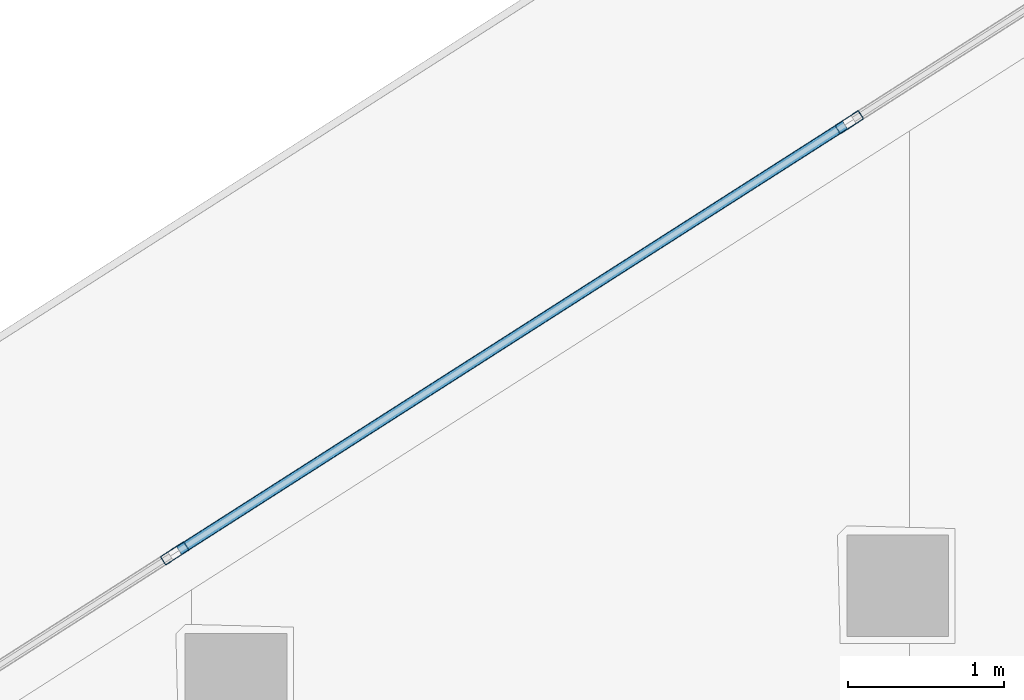
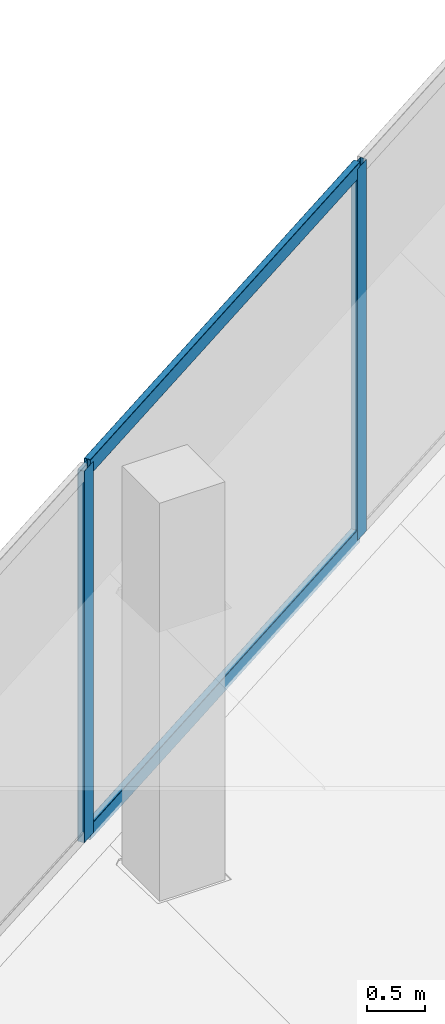
# One storey, part 18 of 44: 4 members, 1 element without a shape of its own.
"""IFC4 building model written with IfcOpenShell, lengths in metres."""

from ifc_helpers import new_model, si_unit, direction, frame, origin, origin_2d, place, context, subcontext, project, spatial, hollow_rectangle, extrude, material, layer, layer_set, material_profile, profile_set, type_object, element, aggregate, save


model = new_model("IFC4")

# Units and contexts
model_context = context("Model", 3, precision=1e-05, world=origin(), true_north=direction((0.0, 1.0)))
body_context = subcontext(model_context, "Body", "Model", "MODEL_VIEW")
ifc_project = project(units=[si_unit("LENGTHUNIT", "METRE"), si_unit("AREAUNIT", "SQUARE_METRE"), si_unit("VOLUMEUNIT", "CUBIC_METRE"), si_unit("PLANEANGLEUNIT", "RADIAN"), si_unit("MASSUNIT", "GRAM", prefix="KILO")], contexts=[model_context])

# Site, building, storey
site_placement = place(None, origin())
site = spatial("IfcSite", under=ifc_project, at=site_placement, CompositionType="ELEMENT")
building_placement = place(site_placement, origin())
building = spatial("IfcBuilding", under=site, at=building_placement, Name="Qorvath Tower", CompositionType="ELEMENT")
storey_placement = place(building_placement, frame((0.0, 0.0, 57.60009765625)))
storey = spatial("IfcBuildingStorey", under=building, at=storey_placement, Name="L12", CompositionType="ELEMENT", Elevation=57.60009765625)

# Curtain wall, members
ifc_material_1 = material(Name="Anodised aluminium and triple low-E glass", Category="aluminium")
ifc_layer = layer(ifc_material_1, 0.179931640625)
ifc_layer_set = layer_set([ifc_layer], Name="CW-SYS-2")
curtain_wall_type = type_object("IfcCurtainWallType", Name="CW-SYS-2", PredefinedType="NOTDEFINED", material=ifc_layer_set)
curtain_wall_placement = place(storey_placement, origin())
curtain_wall = element("IfcCurtainWall", 1, at=curtain_wall_placement, inside=storey, type_object=curtain_wall_type, Name="Curtain Wall CW-2 CW-T-L12-16.2", PredefinedType="NOTDEFINED")
ifc_material_2 = material(Name="Anodised aluminium 6063-T6", Category="aluminium")
ifc_material_profile_1 = material_profile(ifc_material_2, hollow_rectangle(XDim=0.06494140625, YDim=0.179931640625, WallThickness=0.00341796875, InnerFilletRadius=0.00341796875, OuterFilletRadius=0.007080078125, at=origin_2d()), Name="CWM 180x65")
ifc_profile_set_1 = profile_set([ifc_material_profile_1], Name="Anodised aluminium 6063-T6")
member_type_1 = type_object("IfcMemberType", Name="CWM-180", PredefinedType="MULLION", material=ifc_profile_set_1)
member_1_placement = place(storey_placement, frame((-31.325439453125, 22.428955078125, 0.0), z_axis=(0.0, 0.0, 1.0), x_axis=(0.538539451152, -0.842600296435, 0.0)))
member_1 = element("IfcMember", 2, at=member_1_placement, type_object=member_type_1, Name="CW-2 mullion 4", PredefinedType="MULLION", context=body_context, shape_type="SweptSolid", body=[
    extrude(hollow_rectangle(XDim=0.06494140625, YDim=0.179931640625, WallThickness=0.00341796875, InnerFilletRadius=0.00341796875, OuterFilletRadius=0.007080078125, at=origin_2d()), origin(), (0.0, 0.0, 1.0), 3.919921875),
])
member_2_placement = place(storey_placement, frame((-35.64404296875, 19.668701171875, 0.0), z_axis=(0.0, 0.0, 1.0), x_axis=(0.538539451152, -0.842600296435, 0.0)))
member_2 = element("IfcMember", 3, at=member_2_placement, type_object=member_type_1, Name="CW-2 mullion 5", PredefinedType="MULLION", context=body_context, shape_type="SweptSolid", body=[
    extrude(hollow_rectangle(XDim=0.06494140625, YDim=0.179931640625, WallThickness=0.00341796875, InnerFilletRadius=0.00341796875, OuterFilletRadius=0.007080078125, at=origin_2d()), origin(), (0.0, 0.0, 1.0), 3.919921875),
])
ifc_material_3 = material(Name="Anodised aluminium 6063-T6", Category="aluminium")
ifc_material_profile_2 = material_profile(ifc_material_3, hollow_rectangle(XDim=0.06494140625, YDim=0.159912109375, WallThickness=0.00341796875, InnerFilletRadius=0.00341796875, OuterFilletRadius=0.007080078125, at=origin_2d()), Name="CWT 160x65")
ifc_profile_set_2 = profile_set([ifc_material_profile_2], Name="Anodised aluminium 6063-T6")
member_type_2 = type_object("IfcMemberType", Name="CWT-160", PredefinedType="USERDEFINED", material=ifc_profile_set_2)
member_3_placement = place(storey_placement, frame((-31.352783203125, 22.411376953125, 0.032470703125), z_axis=(-0.842598957411, -0.538541546188, 0.0), x_axis=(0.538541546188, -0.842598957411, 0.0)))
member_3 = element("IfcMember", 4, at=member_3_placement, type_object=member_type_2, Name="CW-2 transom 4.1", ObjectType="TRANSOM", PredefinedType="USERDEFINED", context=body_context, shape_type="SweptSolid", body=[
    extrude(hollow_rectangle(XDim=0.06494140625, YDim=0.159912109375, WallThickness=0.00341796875, InnerFilletRadius=0.00341796875, OuterFilletRadius=0.007080078125, at=origin_2d()), origin(), (0.0, 0.0, 1.0), 5.06005859375),
])
member_4_placement = place(storey_placement, frame((-31.352783203125, 22.411376953125, 3.887451171875), z_axis=(-0.842598957411, -0.538541546188, 0.0), x_axis=(0.538541546188, -0.842598957411, 0.0)))
member_4 = element("IfcMember", 5, at=member_4_placement, type_object=member_type_2, Name="CW-2 transom 4.2", ObjectType="TRANSOM", PredefinedType="USERDEFINED", context=body_context, shape_type="SweptSolid", body=[
    extrude(hollow_rectangle(XDim=0.06494140625, YDim=0.159912109375, WallThickness=0.00341796875, InnerFilletRadius=0.00341796875, OuterFilletRadius=0.007080078125, at=origin_2d()), origin(), (0.0, 0.0, 1.0), 5.06005859375),
])
aggregate(curtain_wall, [member_1, member_2, member_3, member_4])

save(model, "model.ifc")
